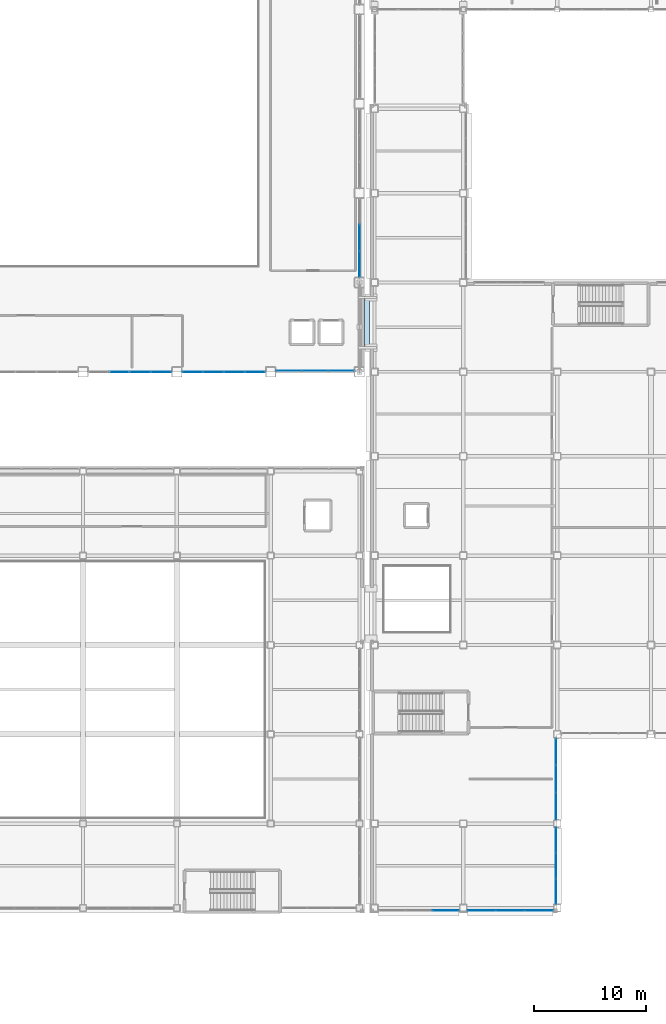
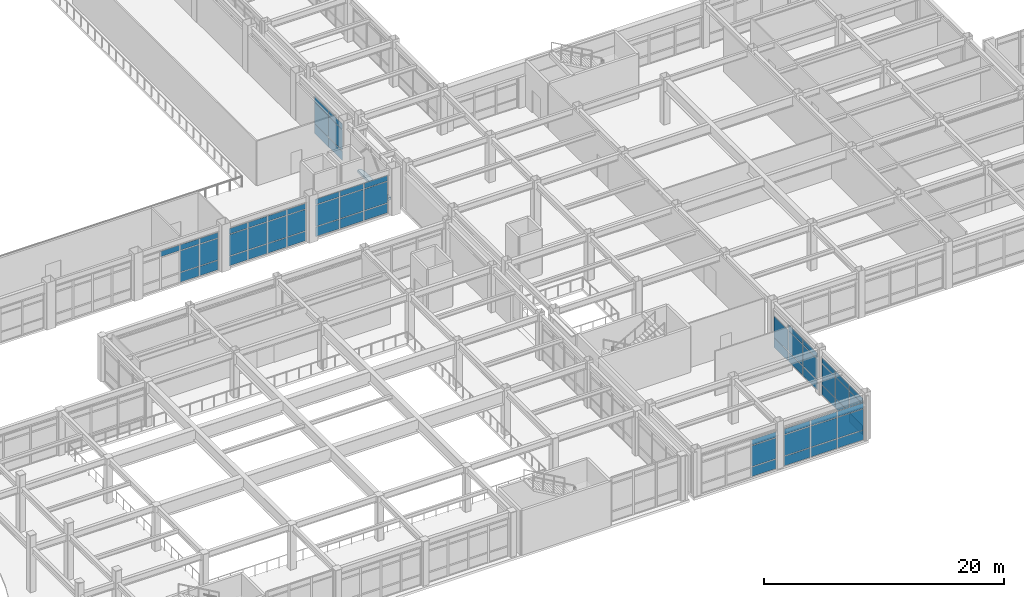
# One storey, part 126 of 172: 63 plates, 1 slab, 8 elements without a shape of their own.
"""IFC4 building model written with IfcOpenShell, lengths in metres."""

from ifc_helpers import new_model, si_unit, direction, frame, origin, origin_2d, place, context, subcontext, project, spatial, polyline, rectangle, outline, extrude, material, layer, layer_set, type_object, element, aggregate, save


model = new_model("IFC4")

# Units and contexts
model_context = context("Model", 3, precision=1e-05, world=origin(), true_north=direction((0.0, 1.0)))
body_context = subcontext(model_context, "Body", "Model", "MODEL_VIEW")
ifc_project = project(units=[si_unit("LENGTHUNIT", "METRE"), si_unit("AREAUNIT", "SQUARE_METRE"), si_unit("VOLUMEUNIT", "CUBIC_METRE"), si_unit("PLANEANGLEUNIT", "RADIAN"), si_unit("MASSUNIT", "GRAM", prefix="KILO")], contexts=[model_context])

# Site, building, storey
site_placement = place(None, origin())
site = spatial("IfcSite", under=ifc_project, at=site_placement, CompositionType="ELEMENT")
building_placement = place(site_placement, origin())
building = spatial("IfcBuilding", under=site, at=building_placement, Name="Kazehara Bluff Congress Hotel", CompositionType="ELEMENT")
storey_placement = place(building_placement, frame((0.0, 0.0, 5.39990234375)))
storey = spatial("IfcBuildingStorey", under=building, at=storey_placement, Name="L01", CompositionType="ELEMENT", Elevation=5.39990234375)

# Curtain wall, plates
ifc_material_1 = material(Name="Anodised aluminium", Category="aluminium")
ifc_layer_1 = layer(ifc_material_1, 0.159912109375)
ifc_layer_set_1 = layer_set([ifc_layer_1], Name="Anodised aluminium")
curtain_wall_type_1 = type_object("IfcCurtainWallType", Name="TP-CW-13", PredefinedType="NOTDEFINED", material=ifc_layer_set_1)
curtain_wall_1_placement = place(storey_placement, origin())
curtain_wall_1 = element("IfcCurtainWall", 1, at=curtain_wall_1_placement, inside=storey, type_object=curtain_wall_type_1, Name="L01 curtain wall CW-13 CW-V1-L01-Y4845-3405", PredefinedType="NOTDEFINED")
ifc_material_2 = material(Name="Insulated low-E double glazing", Category="glass")
ifc_layer_2 = layer(ifc_material_2, 0.028076171875)
ifc_layer_set_2 = layer_set([ifc_layer_2], Name="Insulated low-E double glazing")
plate_type = type_object("IfcPlateType", Name="TP-CWP-01", PredefinedType="CURTAIN_PANEL", material=ifc_layer_set_2)
plate_1_placement = place(storey_placement, frame((36.862548828125, 48.449951171875, 3.3076171875), z_axis=(0.0, 0.0, 1.0), x_axis=(1.0, 0.0, 0.0)))
plate_1 = element("IfcPlate", 2, at=plate_1_placement, type_object=plate_type, Name="CW-13 panel 2.3", PredefinedType="CURTAIN_PANEL", context=body_context, shape_type="SweptSolid", body=[
    extrude(rectangle(XDim=1.81005859375, YDim=0.028076171875, at=origin_2d()), origin(), (0.0, 0.0, 1.0), 0.552490234375),
])
plate_2_placement = place(storey_placement, frame((38.737548828125, 48.449951171875, 0.06494140625), z_axis=(0.0, 0.0, 1.0), x_axis=(1.0, 0.0, 0.0)))
plate_2 = element("IfcPlate", 3, at=plate_2_placement, type_object=plate_type, Name="CW-13 panel 3.1", PredefinedType="CURTAIN_PANEL", context=body_context, shape_type="SweptSolid", body=[
    extrude(rectangle(XDim=1.81005859375, YDim=0.028076171875, at=origin_2d()), origin(), (0.0, 0.0, 1.0), 0.952392578125),
])
plate_3_placement = place(storey_placement, frame((38.737548828125, 48.449951171875, 1.08251953125), z_axis=(0.0, 0.0, 1.0), x_axis=(1.0, 0.0, 0.0)))
plate_3 = element("IfcPlate", 4, at=plate_3_placement, type_object=plate_type, Name="CW-13 panel 3.2", PredefinedType="CURTAIN_PANEL", context=body_context, shape_type="SweptSolid", body=[
    extrude(rectangle(XDim=1.81005859375, YDim=0.028076171875, at=origin_2d()), origin(), (0.0, 0.0, 1.0), 2.159912109375),
])
plate_4_placement = place(storey_placement, frame((38.737548828125, 48.449951171875, 3.3076171875), z_axis=(0.0, 0.0, 1.0), x_axis=(1.0, 0.0, 0.0)))
plate_4 = element("IfcPlate", 5, at=plate_4_placement, type_object=plate_type, Name="CW-13 panel 3.3", PredefinedType="CURTAIN_PANEL", context=body_context, shape_type="SweptSolid", body=[
    extrude(rectangle(XDim=1.81005859375, YDim=0.028076171875, at=origin_2d()), origin(), (0.0, 0.0, 1.0), 0.552490234375),
])
plate_5_placement = place(storey_placement, frame((40.59619140625, 48.449951171875, 0.06494140625), z_axis=(0.0, 0.0, 1.0), x_axis=(1.0, 0.0, 0.0)))
plate_5 = element("IfcPlate", 6, at=plate_5_placement, type_object=plate_type, Name="CW-13 panel 4.1", PredefinedType="CURTAIN_PANEL", context=body_context, shape_type="SweptSolid", body=[
    extrude(rectangle(XDim=1.777587890625, YDim=0.028076171875, at=origin_2d()), origin(), (0.0, 0.0, 1.0), 0.952392578125),
])
plate_6_placement = place(storey_placement, frame((40.59619140625, 48.449951171875, 1.08251953125), z_axis=(0.0, 0.0, 1.0), x_axis=(1.0, 0.0, 0.0)))
plate_6 = element("IfcPlate", 7, at=plate_6_placement, type_object=plate_type, Name="CW-13 panel 4.2", PredefinedType="CURTAIN_PANEL", context=body_context, shape_type="SweptSolid", body=[
    extrude(rectangle(XDim=1.777587890625, YDim=0.028076171875, at=origin_2d()), origin(), (0.0, 0.0, 1.0), 2.159912109375),
])
plate_7_placement = place(storey_placement, frame((40.59619140625, 48.449951171875, 3.3076171875), z_axis=(0.0, 0.0, 1.0), x_axis=(1.0, 0.0, 0.0)))
plate_7 = element("IfcPlate", 8, at=plate_7_placement, type_object=plate_type, Name="CW-13 panel 4.3", PredefinedType="CURTAIN_PANEL", context=body_context, shape_type="SweptSolid", body=[
    extrude(rectangle(XDim=1.777587890625, YDim=0.028076171875, at=origin_2d()), origin(), (0.0, 0.0, 1.0), 0.552490234375),
])
aggregate(curtain_wall_1, [plate_1, plate_2, plate_3, plate_4, plate_5, plate_6, plate_7])

curtain_wall_2_placement = place(storey_placement, origin())
curtain_wall_2 = element("IfcCurtainWall", 9, at=curtain_wall_2_placement, inside=storey, type_object=curtain_wall_type_1, Name="L01 curtain wall CW-13 CW-V1-L01-Y4845-4245", PredefinedType="NOTDEFINED")
plate_8_placement = place(storey_placement, frame((43.40380859375, 48.449951171875, 0.06494140625), z_axis=(0.0, 0.0, 1.0), x_axis=(1.0, 0.0, 0.0)))
plate_8 = element("IfcPlate", 10, at=plate_8_placement, type_object=plate_type, Name="CW-13 panel 1.1", PredefinedType="CURTAIN_PANEL", context=body_context, shape_type="SweptSolid", body=[
    extrude(rectangle(XDim=1.777587890625, YDim=0.028076171875, at=origin_2d()), origin(), (0.0, 0.0, 1.0), 0.952392578125),
])
plate_9_placement = place(storey_placement, frame((43.40380859375, 48.449951171875, 1.08251953125), z_axis=(0.0, 0.0, 1.0), x_axis=(1.0, 0.0, 0.0)))
plate_9 = element("IfcPlate", 11, at=plate_9_placement, type_object=plate_type, Name="CW-13 panel 1.2", PredefinedType="CURTAIN_PANEL", context=body_context, shape_type="SweptSolid", body=[
    extrude(rectangle(XDim=1.777587890625, YDim=0.028076171875, at=origin_2d()), origin(), (0.0, 0.0, 1.0), 2.159912109375),
])
plate_10_placement = place(storey_placement, frame((43.40380859375, 48.449951171875, 3.3076171875), z_axis=(0.0, 0.0, 1.0), x_axis=(1.0, 0.0, 0.0)))
plate_10 = element("IfcPlate", 12, at=plate_10_placement, type_object=plate_type, Name="CW-13 panel 1.3", PredefinedType="CURTAIN_PANEL", context=body_context, shape_type="SweptSolid", body=[
    extrude(rectangle(XDim=1.777587890625, YDim=0.028076171875, at=origin_2d()), origin(), (0.0, 0.0, 1.0), 0.552490234375),
])
plate_11_placement = place(storey_placement, frame((45.262451171875, 48.449951171875, 0.06494140625), z_axis=(0.0, 0.0, 1.0), x_axis=(1.0, 0.0, 0.0)))
plate_11 = element("IfcPlate", 13, at=plate_11_placement, type_object=plate_type, Name="CW-13 panel 2.1", PredefinedType="CURTAIN_PANEL", context=body_context, shape_type="SweptSolid", body=[
    extrude(rectangle(XDim=1.81005859375, YDim=0.028076171875, at=origin_2d()), origin(), (0.0, 0.0, 1.0), 0.952392578125),
])
plate_12_placement = place(storey_placement, frame((45.262451171875, 48.449951171875, 1.08251953125), z_axis=(0.0, 0.0, 1.0), x_axis=(1.0, 0.0, 0.0)))
plate_12 = element("IfcPlate", 14, at=plate_12_placement, type_object=plate_type, Name="CW-13 panel 2.2", PredefinedType="CURTAIN_PANEL", context=body_context, shape_type="SweptSolid", body=[
    extrude(rectangle(XDim=1.81005859375, YDim=0.028076171875, at=origin_2d()), origin(), (0.0, 0.0, 1.0), 2.159912109375),
])
plate_13_placement = place(storey_placement, frame((45.262451171875, 48.449951171875, 3.3076171875), z_axis=(0.0, 0.0, 1.0), x_axis=(1.0, 0.0, 0.0)))
plate_13 = element("IfcPlate", 15, at=plate_13_placement, type_object=plate_type, Name="CW-13 panel 2.3", PredefinedType="CURTAIN_PANEL", context=body_context, shape_type="SweptSolid", body=[
    extrude(rectangle(XDim=1.81005859375, YDim=0.028076171875, at=origin_2d()), origin(), (0.0, 0.0, 1.0), 0.552490234375),
])
plate_14_placement = place(storey_placement, frame((47.137451171875, 48.449951171875, 0.06494140625), z_axis=(0.0, 0.0, 1.0), x_axis=(1.0, 0.0, 0.0)))
plate_14 = element("IfcPlate", 16, at=plate_14_placement, type_object=plate_type, Name="CW-13 panel 3.1", PredefinedType="CURTAIN_PANEL", context=body_context, shape_type="SweptSolid", body=[
    extrude(rectangle(XDim=1.81005859375, YDim=0.028076171875, at=origin_2d()), origin(), (0.0, 0.0, 1.0), 0.952392578125),
])
plate_15_placement = place(storey_placement, frame((47.137451171875, 48.449951171875, 1.08251953125), z_axis=(0.0, 0.0, 1.0), x_axis=(1.0, 0.0, 0.0)))
plate_15 = element("IfcPlate", 17, at=plate_15_placement, type_object=plate_type, Name="CW-13 panel 3.2", PredefinedType="CURTAIN_PANEL", context=body_context, shape_type="SweptSolid", body=[
    extrude(rectangle(XDim=1.81005859375, YDim=0.028076171875, at=origin_2d()), origin(), (0.0, 0.0, 1.0), 2.159912109375),
])
plate_16_placement = place(storey_placement, frame((47.137451171875, 48.449951171875, 3.3076171875), z_axis=(0.0, 0.0, 1.0), x_axis=(1.0, 0.0, 0.0)))
plate_16 = element("IfcPlate", 18, at=plate_16_placement, type_object=plate_type, Name="CW-13 panel 3.3", PredefinedType="CURTAIN_PANEL", context=body_context, shape_type="SweptSolid", body=[
    extrude(rectangle(XDim=1.81005859375, YDim=0.028076171875, at=origin_2d()), origin(), (0.0, 0.0, 1.0), 0.552490234375),
])
plate_17_placement = place(storey_placement, frame((48.996337890625, 48.449951171875, 0.06494140625), z_axis=(0.0, 0.0, 1.0), x_axis=(1.0, 0.0, 0.0)))
plate_17 = element("IfcPlate", 19, at=plate_17_placement, type_object=plate_type, Name="CW-13 panel 4.1", PredefinedType="CURTAIN_PANEL", context=body_context, shape_type="SweptSolid", body=[
    extrude(rectangle(XDim=1.777587890625, YDim=0.028076171875, at=origin_2d()), origin(), (0.0, 0.0, 1.0), 0.952392578125),
])
plate_18_placement = place(storey_placement, frame((48.996337890625, 48.449951171875, 1.08251953125), z_axis=(0.0, 0.0, 1.0), x_axis=(1.0, 0.0, 0.0)))
plate_18 = element("IfcPlate", 20, at=plate_18_placement, type_object=plate_type, Name="CW-13 panel 4.2", PredefinedType="CURTAIN_PANEL", context=body_context, shape_type="SweptSolid", body=[
    extrude(rectangle(XDim=1.777587890625, YDim=0.028076171875, at=origin_2d()), origin(), (0.0, 0.0, 1.0), 2.159912109375),
])
plate_19_placement = place(storey_placement, frame((48.996337890625, 48.449951171875, 3.3076171875), z_axis=(0.0, 0.0, 1.0), x_axis=(1.0, 0.0, 0.0)))
plate_19 = element("IfcPlate", 21, at=plate_19_placement, type_object=plate_type, Name="CW-13 panel 4.3", PredefinedType="CURTAIN_PANEL", context=body_context, shape_type="SweptSolid", body=[
    extrude(rectangle(XDim=1.777587890625, YDim=0.028076171875, at=origin_2d()), origin(), (0.0, 0.0, 1.0), 0.552490234375),
])
aggregate(curtain_wall_2, [plate_8, plate_9, plate_10, plate_11, plate_12, plate_13, plate_14, plate_15, plate_16, plate_17, plate_18, plate_19])

ifc_material_3 = material(Name="Anodised aluminium", Category="aluminium")
ifc_layer_3 = layer(ifc_material_3, 0.159912109375)
ifc_layer_set_3 = layer_set([ifc_layer_3], Name="Anodised aluminium")
curtain_wall_type_2 = type_object("IfcCurtainWallType", Name="TP-CW-20", PredefinedType="NOTDEFINED", material=ifc_layer_set_3)
curtain_wall_3_placement = place(storey_placement, origin())
curtain_wall_3 = element("IfcCurtainWall", 22, at=curtain_wall_3_placement, inside=storey, type_object=curtain_wall_type_2, Name="L01 curtain wall CW-20 CW-V1-L01-X5835-5690", PredefinedType="NOTDEFINED")
plate_20_placement = place(storey_placement, frame((58.35009765625, 58.099609375, 0.06494140625), z_axis=(0.0, 0.0, 1.0), x_axis=(0.0, 1.0, 0.0)))
plate_20 = element("IfcPlate", 23, at=plate_20_placement, type_object=plate_type, Name="CW-20 panel 1.1", PredefinedType="CURTAIN_PANEL", context=body_context, shape_type="SweptSolid", body=[
    extrude(rectangle(XDim=2.269287109375, YDim=0.028076171875, at=origin_2d()), origin(), (0.0, 0.0, 1.0), 0.952392578125),
])
plate_21_placement = place(storey_placement, frame((58.35009765625, 58.099609375, 1.08251953125), z_axis=(0.0, 0.0, 1.0), x_axis=(0.0, 1.0, 0.0)))
plate_21 = element("IfcPlate", 24, at=plate_21_placement, type_object=plate_type, Name="CW-20 panel 1.2", PredefinedType="CURTAIN_PANEL", context=body_context, shape_type="SweptSolid", body=[
    extrude(rectangle(XDim=2.269287109375, YDim=0.028076171875, at=origin_2d()), origin(), (0.0, 0.0, 1.0), 2.110107421875),
])
plate_22_placement = place(storey_placement, frame((58.35009765625, 58.099609375, 3.2578125), z_axis=(0.0, 0.0, 1.0), x_axis=(0.0, 1.0, 0.0)))
plate_22 = element("IfcPlate", 25, at=plate_22_placement, type_object=plate_type, Name="CW-20 panel 1.3", PredefinedType="CURTAIN_PANEL", context=body_context, shape_type="SweptSolid", body=[
    extrude(rectangle(XDim=2.269287109375, YDim=0.028076171875, at=origin_2d()), origin(), (0.0, 0.0, 1.0), 0.552490234375),
])
plate_23_placement = place(storey_placement, frame((58.35009765625, 60.449951171875, 0.06494140625), z_axis=(0.0, 0.0, 1.0), x_axis=(0.0, 1.0, 0.0)))
plate_23 = element("IfcPlate", 26, at=plate_23_placement, type_object=plate_type, Name="CW-20 panel 2.1", PredefinedType="CURTAIN_PANEL", context=body_context, shape_type="SweptSolid", body=[
    extrude(rectangle(XDim=2.3017578125, YDim=0.028076171875, at=origin_2d()), origin(), (0.0, 0.0, 1.0), 0.952392578125),
])
plate_24_placement = place(storey_placement, frame((58.35009765625, 60.449951171875, 1.08251953125), z_axis=(0.0, 0.0, 1.0), x_axis=(0.0, 1.0, 0.0)))
plate_24 = element("IfcPlate", 27, at=plate_24_placement, type_object=plate_type, Name="CW-20 panel 2.2", PredefinedType="CURTAIN_PANEL", context=body_context, shape_type="SweptSolid", body=[
    extrude(rectangle(XDim=2.3017578125, YDim=0.028076171875, at=origin_2d()), origin(), (0.0, 0.0, 1.0), 2.110107421875),
])
plate_25_placement = place(storey_placement, frame((58.35009765625, 60.449951171875, 3.2578125), z_axis=(0.0, 0.0, 1.0), x_axis=(0.0, 1.0, 0.0)))
plate_25 = element("IfcPlate", 28, at=plate_25_placement, type_object=plate_type, Name="CW-20 panel 2.3", PredefinedType="CURTAIN_PANEL", context=body_context, shape_type="SweptSolid", body=[
    extrude(rectangle(XDim=2.3017578125, YDim=0.028076171875, at=origin_2d()), origin(), (0.0, 0.0, 1.0), 0.552490234375),
])
aggregate(curtain_wall_3, [plate_20, plate_21, plate_22, plate_23, plate_24, plate_25])

ifc_material_4 = material(Name="Anodised aluminium", Category="aluminium")
ifc_layer_4 = layer(ifc_material_4, 0.159912109375)
ifc_layer_set_4 = layer_set([ifc_layer_4], Name="Anodised aluminium")
curtain_wall_type_3 = type_object("IfcCurtainWallType", Name="TP-CW-109", PredefinedType="NOTDEFINED", material=ifc_layer_set_4)
curtain_wall_4_placement = place(storey_placement, origin())
curtain_wall_4 = element("IfcCurtainWall", 29, at=curtain_wall_4_placement, inside=storey, type_object=curtain_wall_type_3, Name="L01 curtain wall CW-109 CW-ENC-V1-L01-5438-4855", PredefinedType="NOTDEFINED")
plate_26_placement = place(storey_placement, frame((56.708740234375, 48.550048828125, 0.06494140625), z_axis=(0.0, 0.0, 1.0), x_axis=(-1.0, 0.0, 0.0)))
plate_26 = element("IfcPlate", 30, at=plate_26_placement, type_object=plate_type, Name="CW-109 panel 1.1", PredefinedType="CURTAIN_PANEL", context=body_context, shape_type="SweptSolid", body=[
    extrude(rectangle(XDim=2.25244140625, YDim=0.028076171875, at=origin_2d()), origin(), (0.0, 0.0, 1.0), 0.952392578125),
])
plate_27_placement = place(storey_placement, frame((56.708740234375, 48.550048828125, 1.08251953125), z_axis=(0.0, 0.0, 1.0), x_axis=(-1.0, 0.0, 0.0)))
plate_27 = element("IfcPlate", 31, at=plate_27_placement, type_object=plate_type, Name="CW-109 panel 1.2", PredefinedType="CURTAIN_PANEL", context=body_context, shape_type="SweptSolid", body=[
    extrude(rectangle(XDim=2.25244140625, YDim=0.028076171875, at=origin_2d()), origin(), (0.0, 0.0, 1.0), 2.159912109375),
])
plate_28_placement = place(storey_placement, frame((56.708740234375, 48.550048828125, 3.3076171875), z_axis=(0.0, 0.0, 1.0), x_axis=(-1.0, 0.0, 0.0)))
plate_28 = element("IfcPlate", 32, at=plate_28_placement, type_object=plate_type, Name="CW-109 panel 1.3", PredefinedType="CURTAIN_PANEL", context=body_context, shape_type="SweptSolid", body=[
    extrude(rectangle(XDim=2.25244140625, YDim=0.028076171875, at=origin_2d()), origin(), (0.0, 0.0, 1.0), 0.552490234375),
])
plate_29_placement = place(storey_placement, frame((54.375, 48.550048828125, 0.06494140625), z_axis=(0.0, 0.0, 1.0), x_axis=(-1.0, 0.0, 0.0)))
plate_29 = element("IfcPlate", 33, at=plate_29_placement, type_object=plate_type, Name="CW-109 panel 2.1", PredefinedType="CURTAIN_PANEL", context=body_context, shape_type="SweptSolid", body=[
    extrude(rectangle(XDim=2.284912109375, YDim=0.028076171875, at=origin_2d()), origin(), (0.0, 0.0, 1.0), 0.952392578125),
])
plate_30_placement = place(storey_placement, frame((54.375, 48.550048828125, 1.08251953125), z_axis=(0.0, 0.0, 1.0), x_axis=(-1.0, 0.0, 0.0)))
plate_30 = element("IfcPlate", 34, at=plate_30_placement, type_object=plate_type, Name="CW-109 panel 2.2", PredefinedType="CURTAIN_PANEL", context=body_context, shape_type="SweptSolid", body=[
    extrude(rectangle(XDim=2.284912109375, YDim=0.028076171875, at=origin_2d()), origin(), (0.0, 0.0, 1.0), 2.159912109375),
])
plate_31_placement = place(storey_placement, frame((54.375, 48.550048828125, 3.3076171875), z_axis=(0.0, 0.0, 1.0), x_axis=(-1.0, 0.0, 0.0)))
plate_31 = element("IfcPlate", 35, at=plate_31_placement, type_object=plate_type, Name="CW-109 panel 2.3", PredefinedType="CURTAIN_PANEL", context=body_context, shape_type="SweptSolid", body=[
    extrude(rectangle(XDim=2.284912109375, YDim=0.028076171875, at=origin_2d()), origin(), (0.0, 0.0, 1.0), 0.552490234375),
])
plate_32_placement = place(storey_placement, frame((52.041259765625, 48.550048828125, 0.06494140625), z_axis=(0.0, 0.0, 1.0), x_axis=(-1.0, 0.0, 0.0)))
plate_32 = element("IfcPlate", 36, at=plate_32_placement, type_object=plate_type, Name="CW-109 panel 3.1", PredefinedType="CURTAIN_PANEL", context=body_context, shape_type="SweptSolid", body=[
    extrude(rectangle(XDim=2.25244140625, YDim=0.028076171875, at=origin_2d()), origin(), (0.0, 0.0, 1.0), 0.952392578125),
])
plate_33_placement = place(storey_placement, frame((52.041259765625, 48.550048828125, 1.08251953125), z_axis=(0.0, 0.0, 1.0), x_axis=(-1.0, 0.0, 0.0)))
plate_33 = element("IfcPlate", 37, at=plate_33_placement, type_object=plate_type, Name="CW-109 panel 3.2", PredefinedType="CURTAIN_PANEL", context=body_context, shape_type="SweptSolid", body=[
    extrude(rectangle(XDim=2.25244140625, YDim=0.028076171875, at=origin_2d()), origin(), (0.0, 0.0, 1.0), 2.159912109375),
])
plate_34_placement = place(storey_placement, frame((52.041259765625, 48.550048828125, 3.3076171875), z_axis=(0.0, 0.0, 1.0), x_axis=(-1.0, 0.0, 0.0)))
plate_34 = element("IfcPlate", 38, at=plate_34_placement, type_object=plate_type, Name="CW-109 panel 3.3", PredefinedType="CURTAIN_PANEL", context=body_context, shape_type="SweptSolid", body=[
    extrude(rectangle(XDim=2.25244140625, YDim=0.028076171875, at=origin_2d()), origin(), (0.0, 0.0, 1.0), 0.552490234375),
])
aggregate(curtain_wall_4, [plate_26, plate_27, plate_28, plate_29, plate_30, plate_31, plate_32, plate_33, plate_34])

ifc_material_5 = material(Name="Anodised aluminium", Category="aluminium")
ifc_layer_5 = layer(ifc_material_5, 0.159912109375)
ifc_layer_set_5 = layer_set([ifc_layer_5], Name="Anodised aluminium")
curtain_wall_type_4 = type_object("IfcCurtainWallType", Name="TP-CW-80", PredefinedType="NOTDEFINED", material=ifc_layer_set_5)
curtain_wall_5_placement = place(storey_placement, origin())
curtain_wall_5 = element("IfcCurtainWall", 39, at=curtain_wall_5_placement, inside=storey, type_object=curtain_wall_type_4, Name="L01 curtain wall CW-80 CW-ENC-V4-L01-6368-22", PredefinedType="NOTDEFINED")
plate_35_placement = place(storey_placement, frame((66.092041015625, 0.219970703125, 0.06494140625), z_axis=(0.0, 0.0, 1.0), x_axis=(-1.0, 0.0, 0.0)))
plate_35 = element("IfcPlate", 40, at=plate_35_placement, type_object=plate_type, Name="CW-80 panel 1.1", PredefinedType="CURTAIN_PANEL", context=body_context, shape_type="SweptSolid", body=[
    extrude(rectangle(XDim=2.3359375, YDim=0.028076171875, at=origin_2d()), origin(), (0.0, 0.0, 1.0), 0.952392578125),
])
plate_36_placement = place(storey_placement, frame((66.092041015625, 0.219970703125, 1.08251953125), z_axis=(0.0, 0.0, 1.0), x_axis=(-1.0, 0.0, 0.0)))
plate_36 = element("IfcPlate", 41, at=plate_36_placement, type_object=plate_type, Name="CW-80 panel 1.2", PredefinedType="CURTAIN_PANEL", context=body_context, shape_type="SweptSolid", body=[
    extrude(rectangle(XDim=2.3359375, YDim=0.028076171875, at=origin_2d()), origin(), (0.0, 0.0, 1.0), 2.110107421875),
])
plate_37_placement = place(storey_placement, frame((66.092041015625, 0.219970703125, 3.2578125), z_axis=(0.0, 0.0, 1.0), x_axis=(-1.0, 0.0, 0.0)))
plate_37 = element("IfcPlate", 42, at=plate_37_placement, type_object=plate_type, Name="CW-80 panel 1.3", PredefinedType="CURTAIN_PANEL", context=body_context, shape_type="SweptSolid", body=[
    extrude(rectangle(XDim=2.3359375, YDim=0.028076171875, at=origin_2d()), origin(), (0.0, 0.0, 1.0), 0.552490234375),
])
aggregate(curtain_wall_5, [plate_35, plate_36, plate_37])

ifc_material_6 = material(Name="Anodised aluminium", Category="aluminium")
ifc_layer_6 = layer(ifc_material_6, 0.159912109375)
ifc_layer_set_6 = layer_set([ifc_layer_6], Name="Anodised aluminium")
curtain_wall_type_5 = type_object("IfcCurtainWallType", Name="TP-CW-24", PredefinedType="NOTDEFINED", material=ifc_layer_set_6)
curtain_wall_6_placement = place(storey_placement, origin())
curtain_wall_6 = element("IfcCurtainWall", 43, at=curtain_wall_6_placement, inside=storey, type_object=curtain_wall_type_5, Name="L01 curtain wall CW-24 CW-ENC-V4-L01-7185-22", PredefinedType="NOTDEFINED")
plate_38_placement = place(storey_placement, frame((74.4169921875, 0.219970703125, 0.06494140625), z_axis=(0.0, 0.0, 1.0), x_axis=(-1.0, 0.0, 0.0)))
plate_38 = element("IfcPlate", 44, at=plate_38_placement, type_object=plate_type, Name="CW-24 panel 1.1", PredefinedType="CURTAIN_PANEL", context=body_context, shape_type="SweptSolid", body=[
    extrude(rectangle(XDim=2.48583984375, YDim=0.028076171875, at=origin_2d()), origin(), (0.0, 0.0, 1.0), 0.952392578125),
])
plate_39_placement = place(storey_placement, frame((74.4169921875, 0.219970703125, 1.08251953125), z_axis=(0.0, 0.0, 1.0), x_axis=(-1.0, 0.0, 0.0)))
plate_39 = element("IfcPlate", 45, at=plate_39_placement, type_object=plate_type, Name="CW-24 panel 1.2", PredefinedType="CURTAIN_PANEL", context=body_context, shape_type="SweptSolid", body=[
    extrude(rectangle(XDim=2.48583984375, YDim=0.028076171875, at=origin_2d()), origin(), (0.0, 0.0, 1.0), 2.110107421875),
])
plate_40_placement = place(storey_placement, frame((74.4169921875, 0.219970703125, 3.2578125), z_axis=(0.0, 0.0, 1.0), x_axis=(-1.0, 0.0, 0.0)))
plate_40 = element("IfcPlate", 46, at=plate_40_placement, type_object=plate_type, Name="CW-24 panel 1.3", PredefinedType="CURTAIN_PANEL", context=body_context, shape_type="SweptSolid", body=[
    extrude(rectangle(XDim=2.48583984375, YDim=0.028076171875, at=origin_2d()), origin(), (0.0, 0.0, 1.0), 0.552490234375),
])
plate_41_placement = place(storey_placement, frame((71.85009765625, 0.219970703125, 0.06494140625), z_axis=(0.0, 0.0, 1.0), x_axis=(-1.0, 0.0, 0.0)))
plate_41 = element("IfcPlate", 47, at=plate_41_placement, type_object=plate_type, Name="CW-24 panel 2.1", PredefinedType="CURTAIN_PANEL", context=body_context, shape_type="SweptSolid", body=[
    extrude(rectangle(XDim=2.518310546875, YDim=0.028076171875, at=origin_2d()), origin(), (0.0, 0.0, 1.0), 0.952392578125),
])
plate_42_placement = place(storey_placement, frame((71.85009765625, 0.219970703125, 1.08251953125), z_axis=(0.0, 0.0, 1.0), x_axis=(-1.0, 0.0, 0.0)))
plate_42 = element("IfcPlate", 48, at=plate_42_placement, type_object=plate_type, Name="CW-24 panel 2.2", PredefinedType="CURTAIN_PANEL", context=body_context, shape_type="SweptSolid", body=[
    extrude(rectangle(XDim=2.518310546875, YDim=0.028076171875, at=origin_2d()), origin(), (0.0, 0.0, 1.0), 2.110107421875),
])
plate_43_placement = place(storey_placement, frame((71.85009765625, 0.219970703125, 3.2578125), z_axis=(0.0, 0.0, 1.0), x_axis=(-1.0, 0.0, 0.0)))
plate_43 = element("IfcPlate", 49, at=plate_43_placement, type_object=plate_type, Name="CW-24 panel 2.3", PredefinedType="CURTAIN_PANEL", context=body_context, shape_type="SweptSolid", body=[
    extrude(rectangle(XDim=2.518310546875, YDim=0.028076171875, at=origin_2d()), origin(), (0.0, 0.0, 1.0), 0.552490234375),
])
plate_44_placement = place(storey_placement, frame((69.282958984375, 0.219970703125, 0.06494140625), z_axis=(0.0, 0.0, 1.0), x_axis=(-1.0, 0.0, 0.0)))
plate_44 = element("IfcPlate", 50, at=plate_44_placement, type_object=plate_type, Name="CW-24 panel 3.1", PredefinedType="CURTAIN_PANEL", context=body_context, shape_type="SweptSolid", body=[
    extrude(rectangle(XDim=2.48583984375, YDim=0.028076171875, at=origin_2d()), origin(), (0.0, 0.0, 1.0), 0.952392578125),
])
plate_45_placement = place(storey_placement, frame((69.282958984375, 0.219970703125, 1.08251953125), z_axis=(0.0, 0.0, 1.0), x_axis=(-1.0, 0.0, 0.0)))
plate_45 = element("IfcPlate", 51, at=plate_45_placement, type_object=plate_type, Name="CW-24 panel 3.2", PredefinedType="CURTAIN_PANEL", context=body_context, shape_type="SweptSolid", body=[
    extrude(rectangle(XDim=2.48583984375, YDim=0.028076171875, at=origin_2d()), origin(), (0.0, 0.0, 1.0), 2.110107421875),
])
plate_46_placement = place(storey_placement, frame((69.282958984375, 0.219970703125, 3.2578125), z_axis=(0.0, 0.0, 1.0), x_axis=(-1.0, 0.0, 0.0)))
plate_46 = element("IfcPlate", 52, at=plate_46_placement, type_object=plate_type, Name="CW-24 panel 3.3", PredefinedType="CURTAIN_PANEL", context=body_context, shape_type="SweptSolid", body=[
    extrude(rectangle(XDim=2.48583984375, YDim=0.028076171875, at=origin_2d()), origin(), (0.0, 0.0, 1.0), 0.552490234375),
])
aggregate(curtain_wall_6, [plate_38, plate_39, plate_40, plate_41, plate_42, plate_43, plate_44, plate_45, plate_46])

ifc_material_7 = material(Name="Anodised aluminium", Category="aluminium")
ifc_layer_7 = layer(ifc_material_7, 0.159912109375)
ifc_layer_set_7 = layer_set([ifc_layer_7], Name="Anodised aluminium")
curtain_wall_type_6 = type_object("IfcCurtainWallType", Name="TP-CW-55", PredefinedType="NOTDEFINED", material=ifc_layer_set_7)
curtain_wall_7_placement = place(storey_placement, origin())
curtain_wall_7 = element("IfcCurtainWall", 53, at=curtain_wall_7_placement, inside=storey, type_object=curtain_wall_type_6, Name="L01 curtain wall CW-55 CW-ENC-V4-L01-7595-422", PredefinedType="NOTDEFINED")
plate_47_placement = place(storey_placement, frame((75.949951171875, 6.5087890625, 0.06494140625), z_axis=(0.0, 0.0, 1.0), x_axis=(0.0, -1.0, 0.0)))
plate_47 = element("IfcPlate", 54, at=plate_47_placement, type_object=plate_type, Name="CW-55 panel 1.1", PredefinedType="CURTAIN_PANEL", context=body_context, shape_type="SweptSolid", body=[
    extrude(rectangle(XDim=2.202392578125, YDim=0.028076171875, at=origin_2d()), origin(), (0.0, 0.0, 1.0), 0.952392578125),
])
plate_48_placement = place(storey_placement, frame((75.949951171875, 6.5087890625, 1.08251953125), z_axis=(0.0, 0.0, 1.0), x_axis=(0.0, -1.0, 0.0)))
plate_48 = element("IfcPlate", 55, at=plate_48_placement, type_object=plate_type, Name="CW-55 panel 1.2", PredefinedType="CURTAIN_PANEL", context=body_context, shape_type="SweptSolid", body=[
    extrude(rectangle(XDim=2.202392578125, YDim=0.028076171875, at=origin_2d()), origin(), (0.0, 0.0, 1.0), 2.110107421875),
])
plate_49_placement = place(storey_placement, frame((75.949951171875, 6.5087890625, 3.2578125), z_axis=(0.0, 0.0, 1.0), x_axis=(0.0, -1.0, 0.0)))
plate_49 = element("IfcPlate", 56, at=plate_49_placement, type_object=plate_type, Name="CW-55 panel 1.3", PredefinedType="CURTAIN_PANEL", context=body_context, shape_type="SweptSolid", body=[
    extrude(rectangle(XDim=2.202392578125, YDim=0.028076171875, at=origin_2d()), origin(), (0.0, 0.0, 1.0), 0.552490234375),
])
plate_50_placement = place(storey_placement, frame((75.949951171875, 4.22509765625, 0.06494140625), z_axis=(0.0, 0.0, 1.0), x_axis=(0.0, -1.0, 0.0)))
plate_50 = element("IfcPlate", 57, at=plate_50_placement, type_object=plate_type, Name="CW-55 panel 2.1", PredefinedType="CURTAIN_PANEL", context=body_context, shape_type="SweptSolid", body=[
    extrude(rectangle(XDim=2.235107421875, YDim=0.028076171875, at=origin_2d()), origin(), (0.0, 0.0, 1.0), 0.952392578125),
])
plate_51_placement = place(storey_placement, frame((75.949951171875, 4.22509765625, 1.08251953125), z_axis=(0.0, 0.0, 1.0), x_axis=(0.0, -1.0, 0.0)))
plate_51 = element("IfcPlate", 58, at=plate_51_placement, type_object=plate_type, Name="CW-55 panel 2.2", PredefinedType="CURTAIN_PANEL", context=body_context, shape_type="SweptSolid", body=[
    extrude(rectangle(XDim=2.235107421875, YDim=0.028076171875, at=origin_2d()), origin(), (0.0, 0.0, 1.0), 2.110107421875),
])
plate_52_placement = place(storey_placement, frame((75.949951171875, 4.22509765625, 3.2578125), z_axis=(0.0, 0.0, 1.0), x_axis=(0.0, -1.0, 0.0)))
plate_52 = element("IfcPlate", 59, at=plate_52_placement, type_object=plate_type, Name="CW-55 panel 2.3", PredefinedType="CURTAIN_PANEL", context=body_context, shape_type="SweptSolid", body=[
    extrude(rectangle(XDim=2.235107421875, YDim=0.028076171875, at=origin_2d()), origin(), (0.0, 0.0, 1.0), 0.552490234375),
])
plate_53_placement = place(storey_placement, frame((75.949951171875, 1.941162109375, 0.06494140625), z_axis=(0.0, 0.0, 1.0), x_axis=(0.0, -1.0, 0.0)))
plate_53 = element("IfcPlate", 60, at=plate_53_placement, type_object=plate_type, Name="CW-55 panel 3.1", PredefinedType="CURTAIN_PANEL", context=body_context, shape_type="SweptSolid", body=[
    extrude(rectangle(XDim=2.202392578125, YDim=0.028076171875, at=origin_2d()), origin(), (0.0, 0.0, 1.0), 0.952392578125),
])
plate_54_placement = place(storey_placement, frame((75.949951171875, 1.941162109375, 1.08251953125), z_axis=(0.0, 0.0, 1.0), x_axis=(0.0, -1.0, 0.0)))
plate_54 = element("IfcPlate", 61, at=plate_54_placement, type_object=plate_type, Name="CW-55 panel 3.2", PredefinedType="CURTAIN_PANEL", context=body_context, shape_type="SweptSolid", body=[
    extrude(rectangle(XDim=2.202392578125, YDim=0.028076171875, at=origin_2d()), origin(), (0.0, 0.0, 1.0), 2.110107421875),
])
plate_55_placement = place(storey_placement, frame((75.949951171875, 1.941162109375, 3.2578125), z_axis=(0.0, 0.0, 1.0), x_axis=(0.0, -1.0, 0.0)))
plate_55 = element("IfcPlate", 62, at=plate_55_placement, type_object=plate_type, Name="CW-55 panel 3.3", PredefinedType="CURTAIN_PANEL", context=body_context, shape_type="SweptSolid", body=[
    extrude(rectangle(XDim=2.202392578125, YDim=0.028076171875, at=origin_2d()), origin(), (0.0, 0.0, 1.0), 0.552490234375),
])
aggregate(curtain_wall_7, [plate_47, plate_48, plate_49, plate_50, plate_51, plate_52, plate_53, plate_54, plate_55])

ifc_material_8 = material(Name="Anodised aluminium", Category="aluminium")
ifc_layer_8 = layer(ifc_material_8, 0.159912109375)
ifc_layer_set_8 = layer_set([ifc_layer_8], Name="Anodised aluminium")
curtain_wall_type_7 = type_object("IfcCurtainWallType", Name="TP-CW-56", PredefinedType="NOTDEFINED", material=ifc_layer_set_8)
curtain_wall_8_placement = place(storey_placement, origin())
curtain_wall_8 = element("IfcCurtainWall", 63, at=curtain_wall_8_placement, inside=storey, type_object=curtain_wall_type_7, Name="L01 curtain wall CW-56 CW-ENC-V4-L01-7595-1200", PredefinedType="NOTDEFINED")
plate_56_placement = place(storey_placement, frame((75.949951171875, 14.433837890625, 0.06494140625), z_axis=(0.0, 0.0, 1.0), x_axis=(0.0, -1.0, 0.0)))
plate_56 = element("IfcPlate", 64, at=plate_56_placement, type_object=plate_type, Name="CW-56 panel 1.1", PredefinedType="CURTAIN_PANEL", context=body_context, shape_type="SweptSolid", body=[
    extrude(rectangle(XDim=2.3525390625, YDim=0.028076171875, at=origin_2d()), origin(), (0.0, 0.0, 1.0), 0.952392578125),
])
plate_57_placement = place(storey_placement, frame((75.949951171875, 14.433837890625, 1.08251953125), z_axis=(0.0, 0.0, 1.0), x_axis=(0.0, -1.0, 0.0)))
plate_57 = element("IfcPlate", 65, at=plate_57_placement, type_object=plate_type, Name="CW-56 panel 1.2", PredefinedType="CURTAIN_PANEL", context=body_context, shape_type="SweptSolid", body=[
    extrude(rectangle(XDim=2.3525390625, YDim=0.028076171875, at=origin_2d()), origin(), (0.0, 0.0, 1.0), 2.110107421875),
])
plate_58_placement = place(storey_placement, frame((75.949951171875, 12.0, 0.06494140625), z_axis=(0.0, 0.0, 1.0), x_axis=(0.0, -1.0, 0.0)))
plate_58 = element("IfcPlate", 66, at=plate_58_placement, type_object=plate_type, Name="CW-56 panel 2.1", PredefinedType="CURTAIN_PANEL", context=body_context, shape_type="SweptSolid", body=[
    extrude(rectangle(XDim=2.385009765625, YDim=0.028076171875, at=origin_2d()), origin(), (0.0, 0.0, 1.0), 0.952392578125),
])
plate_59_placement = place(storey_placement, frame((75.949951171875, 12.0, 1.08251953125), z_axis=(0.0, 0.0, 1.0), x_axis=(0.0, -1.0, 0.0)))
plate_59 = element("IfcPlate", 67, at=plate_59_placement, type_object=plate_type, Name="CW-56 panel 2.2", PredefinedType="CURTAIN_PANEL", context=body_context, shape_type="SweptSolid", body=[
    extrude(rectangle(XDim=2.385009765625, YDim=0.028076171875, at=origin_2d()), origin(), (0.0, 0.0, 1.0), 2.110107421875),
])
plate_60_placement = place(storey_placement, frame((75.949951171875, 12.0, 3.2578125), z_axis=(0.0, 0.0, 1.0), x_axis=(0.0, -1.0, 0.0)))
plate_60 = element("IfcPlate", 68, at=plate_60_placement, type_object=plate_type, Name="CW-56 panel 2.3", PredefinedType="CURTAIN_PANEL", context=body_context, shape_type="SweptSolid", body=[
    extrude(rectangle(XDim=2.385009765625, YDim=0.028076171875, at=origin_2d()), origin(), (0.0, 0.0, 1.0), 0.552490234375),
])
plate_61_placement = place(storey_placement, frame((75.949951171875, 9.566162109375, 0.06494140625), z_axis=(0.0, 0.0, 1.0), x_axis=(0.0, -1.0, 0.0)))
plate_61 = element("IfcPlate", 69, at=plate_61_placement, type_object=plate_type, Name="CW-56 panel 3.1", PredefinedType="CURTAIN_PANEL", context=body_context, shape_type="SweptSolid", body=[
    extrude(rectangle(XDim=2.3525390625, YDim=0.028076171875, at=origin_2d()), origin(), (0.0, 0.0, 1.0), 0.952392578125),
])
plate_62_placement = place(storey_placement, frame((75.949951171875, 9.566162109375, 1.08251953125), z_axis=(0.0, 0.0, 1.0), x_axis=(0.0, -1.0, 0.0)))
plate_62 = element("IfcPlate", 70, at=plate_62_placement, type_object=plate_type, Name="CW-56 panel 3.2", PredefinedType="CURTAIN_PANEL", context=body_context, shape_type="SweptSolid", body=[
    extrude(rectangle(XDim=2.3525390625, YDim=0.028076171875, at=origin_2d()), origin(), (0.0, 0.0, 1.0), 2.110107421875),
])
plate_63_placement = place(storey_placement, frame((75.949951171875, 9.566162109375, 3.2578125), z_axis=(0.0, 0.0, 1.0), x_axis=(0.0, -1.0, 0.0)))
plate_63 = element("IfcPlate", 71, at=plate_63_placement, type_object=plate_type, Name="CW-56 panel 3.3", PredefinedType="CURTAIN_PANEL", context=body_context, shape_type="SweptSolid", body=[
    extrude(rectangle(XDim=2.3525390625, YDim=0.028076171875, at=origin_2d()), origin(), (0.0, 0.0, 1.0), 0.552490234375),
])
aggregate(curtain_wall_8, [plate_56, plate_57, plate_58, plate_59, plate_60, plate_61, plate_62, plate_63])

# Slab
ifc_material_9 = material(Name="Concrete C36/45", Category="concrete")
ifc_layer_9 = layer(ifc_material_9, 0.25)
ifc_layer_set_9 = layer_set([ifc_layer_9], Name="Concrete C36/45")
slab_type = type_object("IfcSlabType", Name="TP-SL-250", PredefinedType="FLOOR", material=ifc_layer_set_9)
slab_placement = place(storey_placement, frame((0.0, 0.0, -0.25)))
element("IfcSlab", 72, at=slab_placement, inside=storey, type_object=slab_type, Name="Seismic-joint bridge deck BRG-14 L01", PredefinedType="FLOOR", context=body_context, shape_type="SweptSolid", body=[
    extrude(outline(polyline([(58.81005859375, 50.449951171875), (59.239990234375, 50.449951171875), (59.239990234375, 54.85009765625), (59.139892578125, 55.25), (58.81005859375, 55.25), (58.81005859375, 50.449951171875)])), origin(), (0.0, 0.0, 1.0), 0.25),
])

save(model, "model.ifc")
